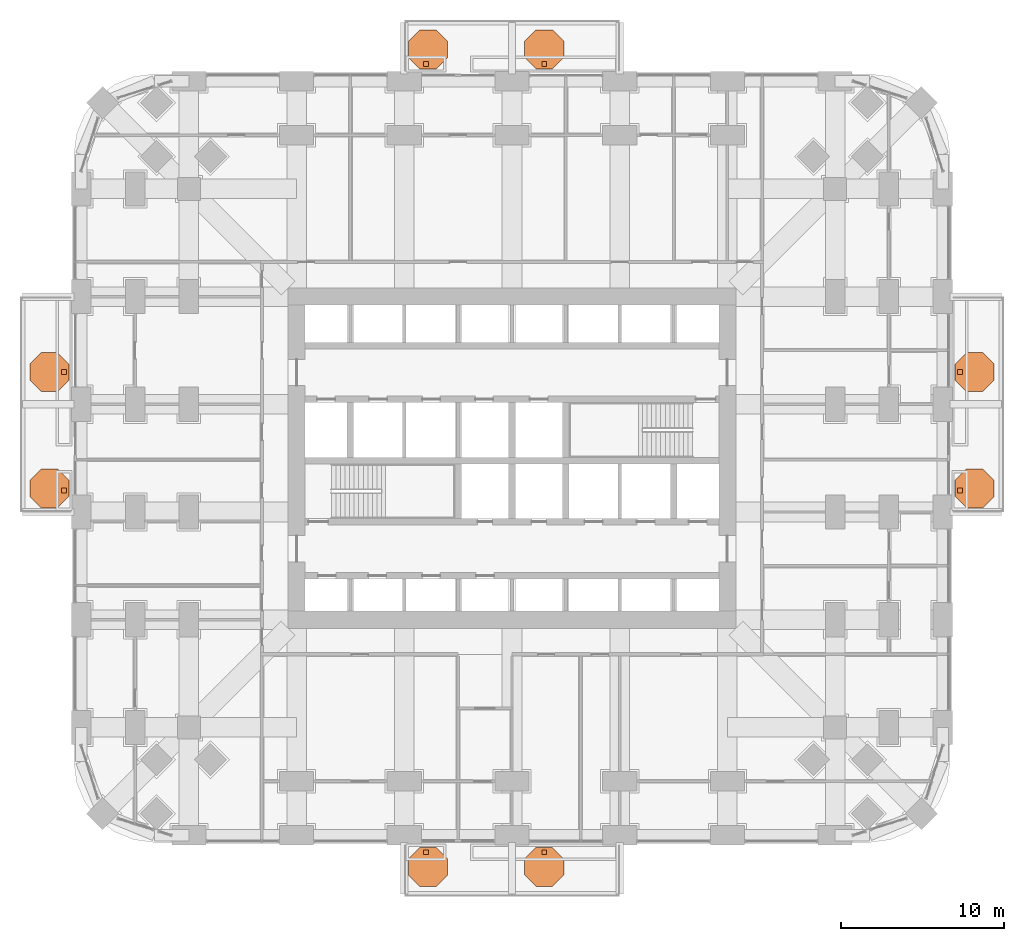
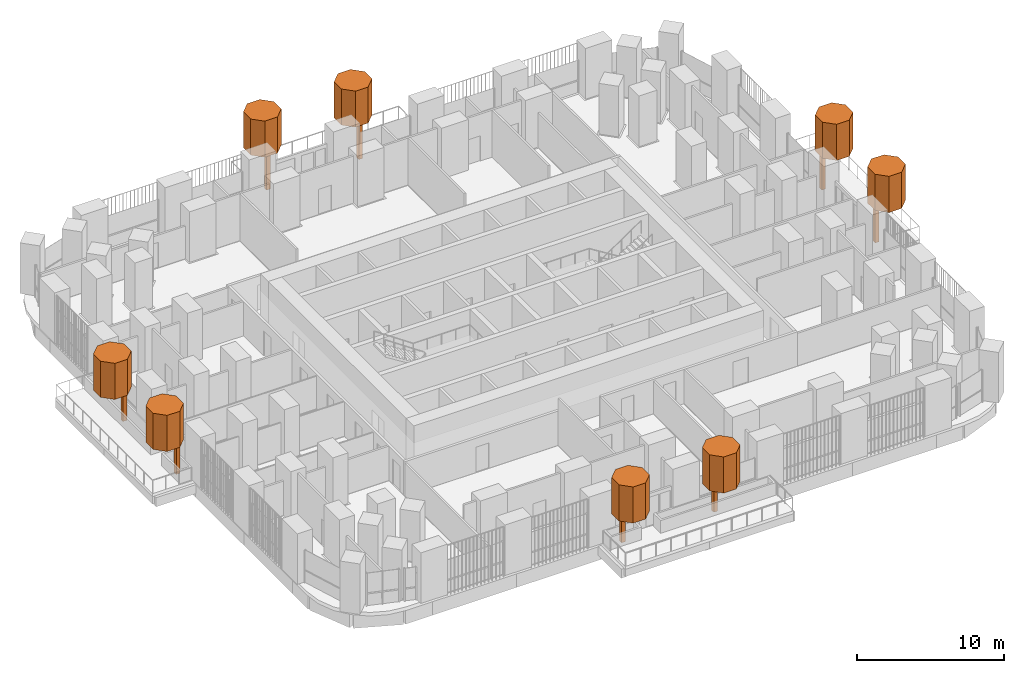
# One storey, part 26 of 26: 16 geographic elements.
"""IFC4 building model written with IfcOpenShell, lengths in metres."""

import ifcopenshell
import ifcopenshell.guid

model = None  # the IFC model being written
_history = None  # IfcOwnerHistory: only IFC2X3 demands one
_inside = {}  # id of a spatial element -> (the spatial element, [elements in it])
_under = {}  # id of a project, library or spatial element -> (it, [spatial elements below it])
_declared = {}  # id of a project -> (the project, [libraries it declares])
_typed = {}  # id of a type object -> (the type object, [elements of that type])
_made_of = {}  # id of a material, layer set ... -> (it, [elements and type objects made of it])


def new_model(schema):
    """Start an empty IFC model of exactly this schema.

    Asked for "IFC4X3", IfcOpenShell would pick the latest addendum, in which some entities
    have other attributes; the version numbers below select the first issue.
    IFC2X3 requires an IfcOwnerHistory on every rooted entity: one is made here for all.
    """
    global model, _history
    if schema == "IFC4X3":
        model = ifcopenshell.file(schema_version=(4, 3, 0, 0))
    else:
        model = ifcopenshell.file(schema=schema)
    _inside.clear()
    _under.clear()
    _declared.clear()
    _typed.clear()
    _made_of.clear()
    _history = None
    if model.schema == "IFC2X3":
        org = make("IfcOrganization", Name="unknown")
        user = make(
            "IfcPersonAndOrganization",
            ThePerson=make("IfcPerson", FamilyName="unknown"),
            TheOrganization=org,
        )
        app = make(
            "IfcApplication",
            ApplicationDeveloper=org,
            Version="unknown",
            ApplicationFullName="unknown",
            ApplicationIdentifier="unknown",
        )
        _history = make(
            "IfcOwnerHistory",
            OwningUser=user,
            OwningApplication=app,
            ChangeAction="ADDED",
            CreationDate=0,
        )
    return model


def make(cls, **values):
    """One entity of the class cls with the attributes given. An attribute that is None is left unset."""
    return model.create_entity(
        cls, **{name: value for name, value in values.items() if value is not None}
    )


def rooted(cls, **values):
    """An entity with a GlobalId (a new one), such as an element, a storey or a relation."""
    return make(cls, GlobalId=ifcopenshell.guid.new(), OwnerHistory=_history, **values)


def si_unit(unit_type, name, prefix=None):
    """IfcSIUnit, for example si_unit("LENGTHUNIT", "METRE", prefix="MILLI")."""
    return make("IfcSIUnit", UnitType=unit_type, Prefix=prefix, Name=name)


def assignment(units):
    """IfcUnitAssignment: the units of a project."""
    return None if units is None else make("IfcUnitAssignment", Units=units)


def point(xyz):
    """IfcCartesianPoint."""
    return None if xyz is None else make("IfcCartesianPoint", Coordinates=xyz)


def direction(xyz):
    """IfcDirection."""
    return None if xyz is None else make("IfcDirection", DirectionRatios=xyz)


def frame(location, z_axis=None, x_axis=None):
    """IfcAxis2Placement3D, a coordinate frame: its origin and axes. An axis left out is left unset."""
    return make(
        "IfcAxis2Placement3D",
        Location=point(location),
        Axis=direction(z_axis),
        RefDirection=direction(x_axis),
    )


def frame_2d(location, x_axis=None):
    """IfcAxis2Placement2D, a coordinate frame in the plane: its origin and x axis."""
    return make(
        "IfcAxis2Placement2D", Location=point(location), RefDirection=direction(x_axis)
    )


def origin():
    """The frame at (0, 0, 0) with its axes left unset."""
    return frame((0.0, 0.0, 0.0))


def origin_2d():
    """The frame at (0, 0) in the plane with its x axis left unset."""
    return frame_2d((0.0, 0.0))


def place(relative_to, where):
    """IfcLocalPlacement: puts the frame where relative to a parent placement (None: the world)."""
    return make(
        "IfcLocalPlacement", PlacementRelTo=relative_to, RelativePlacement=where
    )


def context(
    kind, dimensions, precision=None, world=None, true_north=None, identifier=None
):
    """IfcGeometricRepresentationContext, for example the 3D "Model" context."""
    return make(
        "IfcGeometricRepresentationContext",
        ContextIdentifier=identifier,
        ContextType=kind,
        CoordinateSpaceDimension=dimensions,
        Precision=precision,
        WorldCoordinateSystem=world,
        TrueNorth=true_north,
    )


def subcontext(parent, identifier, kind, view, scale=None):
    """IfcGeometricRepresentationSubContext, for example "Body" below "Model"."""
    return make(
        "IfcGeometricRepresentationSubContext",
        ContextIdentifier=identifier,
        ContextType=kind,
        ParentContext=parent,
        TargetScale=scale,
        TargetView=view,
    )


def project(units=None, contexts=None):
    """IfcProject with its units and contexts."""
    return rooted(
        "IfcProject",
        Name="project",
        RepresentationContexts=contexts,
        UnitsInContext=assignment(units),
    )


def spatial(cls, under=None, at=None, **own):
    """A site, building, storey or space (cls), placed at a placement, below another one or the project."""
    s = rooted(cls, ObjectPlacement=at, **own)
    if under is not None:
        _under.setdefault(under.id(), (under, []))[1].append(s)
    return s


def polyline(points):
    """IfcPolyline through the points."""
    return make("IfcPolyline", Points=[point(p) for p in points])


def profile(cls, at=None, kind="AREA", **sizes):
    """A parametric profile (cls). Its sizes go by their IFC names, for example OverallWidth=200.0."""
    return make(cls, ProfileType=kind, Position=at, **sizes)


def rectangle(**sizes):
    """IfcRectangleProfileDef."""
    return profile("IfcRectangleProfileDef", **sizes)


def outline(outer, holes=None, kind="AREA"):
    """IfcArbitraryClosedProfileDef: a profile drawn as a closed curve; with holes, ...WithVoids."""
    if holes is None:
        return make("IfcArbitraryClosedProfileDef", ProfileType=kind, OuterCurve=outer)
    return make(
        "IfcArbitraryProfileDefWithVoids",
        ProfileType=kind,
        OuterCurve=outer,
        InnerCurves=holes,
    )


def extrude(swept, where, along, depth):
    """IfcExtrudedAreaSolid: the profile swept, set in the frame where, extruded along a direction by depth."""
    return make(
        "IfcExtrudedAreaSolid",
        SweptArea=swept,
        Position=where,
        ExtrudedDirection=direction(along),
        Depth=depth,
    )


def shape(context_of_items, identifier, shape_type, items):
    """IfcShapeRepresentation: the items that make up one representation, for example the "Body"."""
    return make(
        "IfcShapeRepresentation",
        ContextOfItems=context_of_items,
        RepresentationIdentifier=identifier,
        RepresentationType=shape_type,
        Items=items,
    )


def material(Name=None, Category=None):
    """IfcMaterial."""
    return make("IfcMaterial", Name=Name, Category=Category)


def made_of(thing, what):
    """Note that an element or type object is made of a material, layer set ...; save() writes the relation."""
    if what is not None:
        _made_of.setdefault(what.id(), (what, []))[1].append(thing)
    return thing


def type_object(cls, material=None, **own):
    """A type object (cls), such as IfcWallType, which elements share."""
    return made_of(rooted(cls, **own), material)


def element(
    cls,
    number,
    at=None,
    inside=None,
    cuts=None,
    type_object=None,
    material=None,
    context=None,
    identifier="Body",
    shape_type=None,
    held_by="IfcProductDefinitionShape",
    body=None,
    shapes=None,
    **own,
):
    """One element of the class cls, such as IfcWall. Its Tag is "e" and its number.

    at: its placement. inside: the storey or other place that contains it. cuts: it is an
    opening in that element (IfcRelVoidsElement). A single representation is given by context,
    identifier, shape_type and body (its items); several are given by shapes. held_by: the class
    of the entity that holds the representations. save() writes the other relations.
    """
    e = rooted(cls, Tag="e%d" % number, ObjectPlacement=at, **own)
    if body is not None:
        shapes = [shape(context, identifier, shape_type, body)]
    if shapes is not None:
        e.Representation = make(held_by, Representations=shapes)
    if inside is not None:
        _inside.setdefault(inside.id(), (inside, []))[1].append(e)
    if cuts is not None:
        rooted(
            "IfcRelVoidsElement", RelatingBuildingElement=cuts, RelatedOpeningElement=e
        )
    if type_object is not None:
        _typed.setdefault(type_object.id(), (type_object, []))[1].append(e)
    return made_of(e, material)


def aggregate(whole, parts):
    """IfcRelAggregates: a whole, such as a stair, and the parts it consists of."""
    return rooted("IfcRelAggregates", RelatingObject=whole, RelatedObjects=parts)


def save(model, path):
    """Write the relations noted so far, then the file.

    IfcRelAggregates (storeys below a building ...), IfcRelContainedInSpatialStructure (elements
    in a storey), IfcRelDefinesByType, IfcRelAssociatesMaterial and IfcRelDeclares: one each for
    every whole, place, type object, material and project.
    """
    for whole, parts in _under.values():
        aggregate(whole, parts)
    for where, things in _inside.values():
        rooted(
            "IfcRelContainedInSpatialStructure",
            RelatedElements=things,
            RelatingStructure=where,
        )
    for kind, things in _typed.values():
        rooted("IfcRelDefinesByType", RelatedObjects=things, RelatingType=kind)
    for what, things in _made_of.values():
        rooted("IfcRelAssociatesMaterial", RelatedObjects=things, RelatingMaterial=what)
    for by, libraries in _declared.values():
        rooted("IfcRelDeclares", RelatingContext=by, RelatedDefinitions=libraries)
    model.write(path)


model = new_model("IFC4")

# Units and contexts
model_context = context("Model", 3, precision=1e-05, world=origin(), true_north=direction((0.0, 1.0)))
body_context = subcontext(model_context, "Body", "Model", "MODEL_VIEW")
ifc_project = project(units=[si_unit("LENGTHUNIT", "METRE"), si_unit("AREAUNIT", "SQUARE_METRE"), si_unit("VOLUMEUNIT", "CUBIC_METRE"), si_unit("PLANEANGLEUNIT", "RADIAN"), si_unit("MASSUNIT", "GRAM", prefix="KILO")], contexts=[model_context])

# Site, building, storey
site_placement = place(None, origin())
site = spatial("IfcSite", under=ifc_project, at=site_placement, CompositionType="ELEMENT")
building_placement = place(site_placement, origin())
building = spatial("IfcBuilding", under=site, at=building_placement, Name="Cobogo Forest Laboratory Tower", CompositionType="ELEMENT")
storey_placement = place(building_placement, frame((0.0, 0.0, 50.699951171875)))
storey = spatial("IfcBuildingStorey", under=building, at=storey_placement, Name="L11", CompositionType="ELEMENT", Elevation=50.699951171875)

# Geographic elements
ifc_material = material(Name="Planting", Category="plant")
geographic_element_type_1 = type_object("IfcGeographicElementType", Name="Tree trunk 300", PredefinedType="USERDEFINED", material=ifc_material)
for number, where, z_axis, x_axis, name in (
    (1, (21.125, -1.050048828125, 0.0), (0.0, 0.0, 1.0), (1.0, 0.0, 0.0), "Tree trunk BAL-S1-PL1 L11"),
    (2, (28.375, -1.050048828125, 0.0), (0.0, 0.0, 1.0), (1.0, 0.0, 0.0), "Tree trunk BAL-S1-PL2 L11"),
    (3, (53.85009765625, 21.125, 0.0), (0.0, 0.0, 1.0), (1.0, 0.0, 0.0), "Tree trunk BAL-E1-PL1 L11"),
    (4, (53.85009765625, 28.375, 0.0), (0.0, 0.0, 1.0), (1.0, 0.0, 0.0), "Tree trunk BAL-E1-PL2 L11"),
    (5, (21.125, 47.25, 0.0), (0.0, 0.0, 1.0), (1.0, 0.0, 0.0), "Tree trunk BAL-N1-PL1 L11"),
    (6, (28.375, 47.25, 0.0), (0.0, 0.0, 1.0), (1.0, 0.0, 0.0), "Tree trunk BAL-N1-PL2 L11"),
    (7, (-1.050048828125, 21.125, 0.0), (0.0, 0.0, 1.0), (1.0, 0.0, 0.0), "Tree trunk BAL-W1-PL1 L11"),
    (8, (-1.050048828125, 28.375, 0.0), (0.0, 0.0, 1.0), (1.0, 0.0, 0.0), "Tree trunk BAL-W1-PL2 L11"),
):
    element("IfcGeographicElement", number, at=place(storey_placement, frame(where, z_axis=z_axis, x_axis=x_axis)), inside=storey, type_object=geographic_element_type_1, Name=name, ObjectType="TREE TRUNK", PredefinedType="USERDEFINED", context=body_context, shape_type="SweptSolid", body=[
        extrude(rectangle(XDim=0.300048828125, YDim=0.300048828125, at=origin_2d()), origin(), (0.0, 0.0, 1.0), 2.89990234375),
    ])
geographic_element_type_2 = type_object("IfcGeographicElementType", Name="Tree, holm oak 5 m", PredefinedType="USERDEFINED", material=ifc_material)
geographic_element_1_placement = place(storey_placement, frame((0.0, 0.0, 2.900146484375)))
element("IfcGeographicElement", 9, at=geographic_element_1_placement, inside=storey, type_object=geographic_element_type_2, Name="Holm tree BAL-S1-PL1 L11", ObjectType="TREE", PredefinedType="USERDEFINED", context=body_context, shape_type="SweptSolid", body=[
    extrude(outline(polyline([(22.449951171875, -2.447021484375), (22.449951171875, -1.452880859375), (21.7470703125, -0.75), (20.7529296875, -0.75), (20.050048828125, -1.452880859375), (20.050048828125, -2.447021484375), (20.7529296875, -3.14990234375), (21.7470703125, -3.14990234375), (22.449951171875, -2.447021484375)])), origin(), (0.0, 0.0, 1.0), 3.0),
])
geographic_element_2_placement = place(storey_placement, frame((0.0, 0.0, 2.900146484375)))
element("IfcGeographicElement", 10, at=geographic_element_2_placement, inside=storey, type_object=geographic_element_type_2, Name="Holm tree BAL-S1-PL2 L11", ObjectType="TREE", PredefinedType="USERDEFINED", context=body_context, shape_type="SweptSolid", body=[
    extrude(outline(polyline([(29.574951171875, -2.447021484375), (29.574951171875, -1.452880859375), (28.8720703125, -0.75), (27.8779296875, -0.75), (27.175048828125, -1.452880859375), (27.175048828125, -2.447021484375), (27.8779296875, -3.14990234375), (28.8720703125, -3.14990234375), (29.574951171875, -2.447021484375)])), origin(), (0.0, 0.0, 1.0), 3.0),
])
geographic_element_3_placement = place(storey_placement, frame((0.0, 0.0, 2.900146484375)))
element("IfcGeographicElement", 11, at=geographic_element_3_placement, inside=storey, type_object=geographic_element_type_2, Name="Holm tree BAL-E1-PL1 L11", ObjectType="TREE", PredefinedType="USERDEFINED", context=body_context, shape_type="SweptSolid", body=[
    extrude(outline(polyline([(55.949951171875, 20.7529296875), (55.949951171875, 21.7470703125), (55.2470703125, 22.449951171875), (54.2529296875, 22.449951171875), (53.550048828125, 21.7470703125), (53.550048828125, 20.7529296875), (54.2529296875, 20.050048828125), (55.2470703125, 20.050048828125), (55.949951171875, 20.7529296875)])), origin(), (0.0, 0.0, 1.0), 3.0),
])
geographic_element_4_placement = place(storey_placement, frame((0.0, 0.0, 2.900146484375)))
element("IfcGeographicElement", 12, at=geographic_element_4_placement, inside=storey, type_object=geographic_element_type_2, Name="Holm tree BAL-E1-PL2 L11", ObjectType="TREE", PredefinedType="USERDEFINED", context=body_context, shape_type="SweptSolid", body=[
    extrude(outline(polyline([(55.949951171875, 27.8779296875), (55.949951171875, 28.8720703125), (55.2470703125, 29.574951171875), (54.2529296875, 29.574951171875), (53.550048828125, 28.8720703125), (53.550048828125, 27.8779296875), (54.2529296875, 27.175048828125), (55.2470703125, 27.175048828125), (55.949951171875, 27.8779296875)])), origin(), (0.0, 0.0, 1.0), 3.0),
])
geographic_element_5_placement = place(storey_placement, frame((0.0, 0.0, 2.900146484375)))
element("IfcGeographicElement", 13, at=geographic_element_5_placement, inside=storey, type_object=geographic_element_type_2, Name="Holm tree BAL-N1-PL1 L11", ObjectType="TREE", PredefinedType="USERDEFINED", context=body_context, shape_type="SweptSolid", body=[
    extrude(outline(polyline([(22.449951171875, 47.65283203125), (22.449951171875, 48.64697265625), (21.7470703125, 49.35009765625), (20.7529296875, 49.35009765625), (20.050048828125, 48.64697265625), (20.050048828125, 47.65283203125), (20.7529296875, 46.949951171875), (21.7470703125, 46.949951171875), (22.449951171875, 47.65283203125)])), origin(), (0.0, 0.0, 1.0), 3.0),
])
geographic_element_6_placement = place(storey_placement, frame((0.0, 0.0, 2.900146484375)))
element("IfcGeographicElement", 14, at=geographic_element_6_placement, inside=storey, type_object=geographic_element_type_2, Name="Holm tree BAL-N1-PL2 L11", ObjectType="TREE", PredefinedType="USERDEFINED", context=body_context, shape_type="SweptSolid", body=[
    extrude(outline(polyline([(29.574951171875, 47.65283203125), (29.574951171875, 48.64697265625), (28.8720703125, 49.35009765625), (27.8779296875, 49.35009765625), (27.175048828125, 48.64697265625), (27.175048828125, 47.65283203125), (27.8779296875, 46.949951171875), (28.8720703125, 46.949951171875), (29.574951171875, 47.65283203125)])), origin(), (0.0, 0.0, 1.0), 3.0),
])
geographic_element_7_placement = place(storey_placement, frame((0.0, 0.0, 2.900146484375)))
element("IfcGeographicElement", 15, at=geographic_element_7_placement, inside=storey, type_object=geographic_element_type_2, Name="Holm tree BAL-W1-PL1 L11", ObjectType="TREE", PredefinedType="USERDEFINED", context=body_context, shape_type="SweptSolid", body=[
    extrude(outline(polyline([(-0.75, 20.7529296875), (-0.75, 21.7470703125), (-1.452880859375, 22.449951171875), (-2.447021484375, 22.449951171875), (-3.14990234375, 21.7470703125), (-3.14990234375, 20.7529296875), (-2.447021484375, 20.050048828125), (-1.452880859375, 20.050048828125), (-0.75, 20.7529296875)])), origin(), (0.0, 0.0, 1.0), 3.0),
])
geographic_element_8_placement = place(storey_placement, frame((0.0, 0.0, 2.900146484375)))
element("IfcGeographicElement", 16, at=geographic_element_8_placement, inside=storey, type_object=geographic_element_type_2, Name="Holm tree BAL-W1-PL2 L11", ObjectType="TREE", PredefinedType="USERDEFINED", context=body_context, shape_type="SweptSolid", body=[
    extrude(outline(polyline([(-0.75, 27.8779296875), (-0.75, 28.8720703125), (-1.452880859375, 29.574951171875), (-2.447021484375, 29.574951171875), (-3.14990234375, 28.8720703125), (-3.14990234375, 27.8779296875), (-2.447021484375, 27.175048828125), (-1.452880859375, 27.175048828125), (-0.75, 27.8779296875)])), origin(), (0.0, 0.0, 1.0), 3.0),
])

save(model, "model.ifc")
